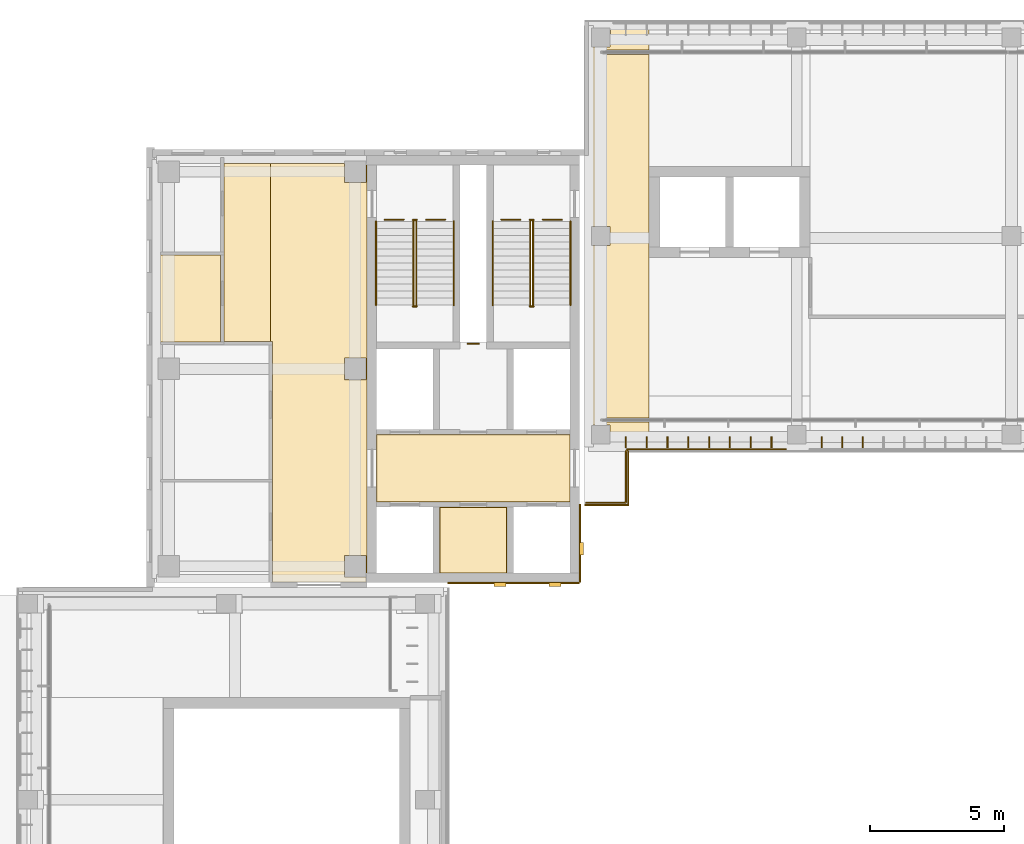
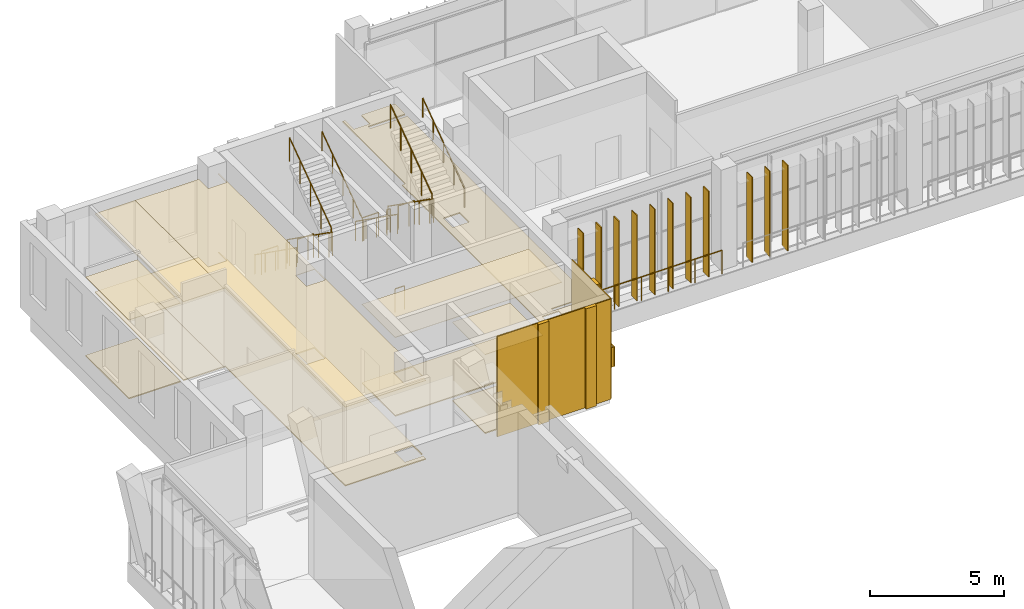
# One storey, part 61 of 73: 18 coverings, 18 railings, 11 shading devices.
"""IFC4 building model written with IfcOpenShell, lengths in metres."""

import ifcopenshell
import ifcopenshell.guid

model = None  # the IFC model being written
_history = None  # IfcOwnerHistory: only IFC2X3 demands one
_inside = {}  # id of a spatial element -> (the spatial element, [elements in it])
_under = {}  # id of a project, library or spatial element -> (it, [spatial elements below it])
_declared = {}  # id of a project -> (the project, [libraries it declares])
_typed = {}  # id of a type object -> (the type object, [elements of that type])
_made_of = {}  # id of a material, layer set ... -> (it, [elements and type objects made of it])


def new_model(schema):
    """Start an empty IFC model of exactly this schema.

    Asked for "IFC4X3", IfcOpenShell would pick the latest addendum, in which some entities
    have other attributes; the version numbers below select the first issue.
    IFC2X3 requires an IfcOwnerHistory on every rooted entity: one is made here for all.
    """
    global model, _history
    if schema == "IFC4X3":
        model = ifcopenshell.file(schema_version=(4, 3, 0, 0))
    else:
        model = ifcopenshell.file(schema=schema)
    _inside.clear()
    _under.clear()
    _declared.clear()
    _typed.clear()
    _made_of.clear()
    _history = None
    if model.schema == "IFC2X3":
        org = make("IfcOrganization", Name="unknown")
        user = make(
            "IfcPersonAndOrganization",
            ThePerson=make("IfcPerson", FamilyName="unknown"),
            TheOrganization=org,
        )
        app = make(
            "IfcApplication",
            ApplicationDeveloper=org,
            Version="unknown",
            ApplicationFullName="unknown",
            ApplicationIdentifier="unknown",
        )
        _history = make(
            "IfcOwnerHistory",
            OwningUser=user,
            OwningApplication=app,
            ChangeAction="ADDED",
            CreationDate=0,
        )
    return model


def make(cls, **values):
    """One entity of the class cls with the attributes given. An attribute that is None is left unset."""
    return model.create_entity(
        cls, **{name: value for name, value in values.items() if value is not None}
    )


def rooted(cls, **values):
    """An entity with a GlobalId (a new one), such as an element, a storey or a relation."""
    return make(cls, GlobalId=ifcopenshell.guid.new(), OwnerHistory=_history, **values)


def si_unit(unit_type, name, prefix=None):
    """IfcSIUnit, for example si_unit("LENGTHUNIT", "METRE", prefix="MILLI")."""
    return make("IfcSIUnit", UnitType=unit_type, Prefix=prefix, Name=name)


def assignment(units):
    """IfcUnitAssignment: the units of a project."""
    return None if units is None else make("IfcUnitAssignment", Units=units)


def point(xyz):
    """IfcCartesianPoint."""
    return None if xyz is None else make("IfcCartesianPoint", Coordinates=xyz)


def direction(xyz):
    """IfcDirection."""
    return None if xyz is None else make("IfcDirection", DirectionRatios=xyz)


def frame(location, z_axis=None, x_axis=None):
    """IfcAxis2Placement3D, a coordinate frame: its origin and axes. An axis left out is left unset."""
    return make(
        "IfcAxis2Placement3D",
        Location=point(location),
        Axis=direction(z_axis),
        RefDirection=direction(x_axis),
    )


def frame_2d(location, x_axis=None):
    """IfcAxis2Placement2D, a coordinate frame in the plane: its origin and x axis."""
    return make(
        "IfcAxis2Placement2D", Location=point(location), RefDirection=direction(x_axis)
    )


def origin():
    """The frame at (0, 0, 0) with its axes left unset."""
    return frame((0.0, 0.0, 0.0))


def origin_2d():
    """The frame at (0, 0) in the plane with its x axis left unset."""
    return frame_2d((0.0, 0.0))


def place(relative_to, where):
    """IfcLocalPlacement: puts the frame where relative to a parent placement (None: the world)."""
    return make(
        "IfcLocalPlacement", PlacementRelTo=relative_to, RelativePlacement=where
    )


def context(
    kind, dimensions, precision=None, world=None, true_north=None, identifier=None
):
    """IfcGeometricRepresentationContext, for example the 3D "Model" context."""
    return make(
        "IfcGeometricRepresentationContext",
        ContextIdentifier=identifier,
        ContextType=kind,
        CoordinateSpaceDimension=dimensions,
        Precision=precision,
        WorldCoordinateSystem=world,
        TrueNorth=true_north,
    )


def subcontext(parent, identifier, kind, view, scale=None):
    """IfcGeometricRepresentationSubContext, for example "Body" below "Model"."""
    return make(
        "IfcGeometricRepresentationSubContext",
        ContextIdentifier=identifier,
        ContextType=kind,
        ParentContext=parent,
        TargetScale=scale,
        TargetView=view,
    )


def project(units=None, contexts=None):
    """IfcProject with its units and contexts."""
    return rooted(
        "IfcProject",
        Name="project",
        RepresentationContexts=contexts,
        UnitsInContext=assignment(units),
    )


def spatial(cls, under=None, at=None, **own):
    """A site, building, storey or space (cls), placed at a placement, below another one or the project."""
    s = rooted(cls, ObjectPlacement=at, **own)
    if under is not None:
        _under.setdefault(under.id(), (under, []))[1].append(s)
    return s


def polyline(points):
    """IfcPolyline through the points."""
    return make("IfcPolyline", Points=[point(p) for p in points])


def profile(cls, at=None, kind="AREA", **sizes):
    """A parametric profile (cls). Its sizes go by their IFC names, for example OverallWidth=200.0."""
    return make(cls, ProfileType=kind, Position=at, **sizes)


def rectangle(**sizes):
    """IfcRectangleProfileDef."""
    return profile("IfcRectangleProfileDef", **sizes)


def circle(**sizes):
    """IfcCircleProfileDef."""
    return profile("IfcCircleProfileDef", **sizes)


def outline(outer, holes=None, kind="AREA"):
    """IfcArbitraryClosedProfileDef: a profile drawn as a closed curve; with holes, ...WithVoids."""
    if holes is None:
        return make("IfcArbitraryClosedProfileDef", ProfileType=kind, OuterCurve=outer)
    return make(
        "IfcArbitraryProfileDefWithVoids",
        ProfileType=kind,
        OuterCurve=outer,
        InnerCurves=holes,
    )


def extrude(swept, where, along, depth):
    """IfcExtrudedAreaSolid: the profile swept, set in the frame where, extruded along a direction by depth."""
    return make(
        "IfcExtrudedAreaSolid",
        SweptArea=swept,
        Position=where,
        ExtrudedDirection=direction(along),
        Depth=depth,
    )


def shape(context_of_items, identifier, shape_type, items):
    """IfcShapeRepresentation: the items that make up one representation, for example the "Body"."""
    return make(
        "IfcShapeRepresentation",
        ContextOfItems=context_of_items,
        RepresentationIdentifier=identifier,
        RepresentationType=shape_type,
        Items=items,
    )


def material(Name=None, Category=None):
    """IfcMaterial."""
    return make("IfcMaterial", Name=Name, Category=Category)


def layer(
    of_material, thickness, ventilated=None, Name=None, Category=None, Priority=None
):
    """IfcMaterialLayer: one layer of a wall or slab, of a material (None: an air gap)."""
    return make(
        "IfcMaterialLayer",
        Material=of_material,
        LayerThickness=thickness,
        IsVentilated=ventilated,
        Name=Name,
        Category=Category,
        Priority=Priority,
    )


def layer_set(layers, Name=None):
    """IfcMaterialLayerSet."""
    return make("IfcMaterialLayerSet", MaterialLayers=layers, LayerSetName=Name)


def made_of(thing, what):
    """Note that an element or type object is made of a material, layer set ...; save() writes the relation."""
    if what is not None:
        _made_of.setdefault(what.id(), (what, []))[1].append(thing)
    return thing


def type_object(cls, material=None, **own):
    """A type object (cls), such as IfcWallType, which elements share."""
    return made_of(rooted(cls, **own), material)


def element(
    cls,
    number,
    at=None,
    inside=None,
    cuts=None,
    type_object=None,
    material=None,
    context=None,
    identifier="Body",
    shape_type=None,
    held_by="IfcProductDefinitionShape",
    body=None,
    shapes=None,
    **own,
):
    """One element of the class cls, such as IfcWall. Its Tag is "e" and its number.

    at: its placement. inside: the storey or other place that contains it. cuts: it is an
    opening in that element (IfcRelVoidsElement). A single representation is given by context,
    identifier, shape_type and body (its items); several are given by shapes. held_by: the class
    of the entity that holds the representations. save() writes the other relations.
    """
    e = rooted(cls, Tag="e%d" % number, ObjectPlacement=at, **own)
    if body is not None:
        shapes = [shape(context, identifier, shape_type, body)]
    if shapes is not None:
        e.Representation = make(held_by, Representations=shapes)
    if inside is not None:
        _inside.setdefault(inside.id(), (inside, []))[1].append(e)
    if cuts is not None:
        rooted(
            "IfcRelVoidsElement", RelatingBuildingElement=cuts, RelatedOpeningElement=e
        )
    if type_object is not None:
        _typed.setdefault(type_object.id(), (type_object, []))[1].append(e)
    return made_of(e, material)


def aggregate(whole, parts):
    """IfcRelAggregates: a whole, such as a stair, and the parts it consists of."""
    return rooted("IfcRelAggregates", RelatingObject=whole, RelatedObjects=parts)


def save(model, path):
    """Write the relations noted so far, then the file.

    IfcRelAggregates (storeys below a building ...), IfcRelContainedInSpatialStructure (elements
    in a storey), IfcRelDefinesByType, IfcRelAssociatesMaterial and IfcRelDeclares: one each for
    every whole, place, type object, material and project.
    """
    for whole, parts in _under.values():
        aggregate(whole, parts)
    for where, things in _inside.values():
        rooted(
            "IfcRelContainedInSpatialStructure",
            RelatedElements=things,
            RelatingStructure=where,
        )
    for kind, things in _typed.values():
        rooted("IfcRelDefinesByType", RelatedObjects=things, RelatingType=kind)
    for what, things in _made_of.values():
        rooted("IfcRelAssociatesMaterial", RelatedObjects=things, RelatingMaterial=what)
    for by, libraries in _declared.values():
        rooted("IfcRelDeclares", RelatingContext=by, RelatedDefinitions=libraries)
    model.write(path)


model = new_model("IFC4")

# Units and contexts
model_context = context("Model", 3, precision=1e-05, world=origin(), true_north=direction((0.0, 1.0)))
body_context = subcontext(model_context, "Body", "Model", "MODEL_VIEW")
ifc_project = project(units=[si_unit("LENGTHUNIT", "METRE"), si_unit("AREAUNIT", "SQUARE_METRE"), si_unit("VOLUMEUNIT", "CUBIC_METRE"), si_unit("PLANEANGLEUNIT", "RADIAN"), si_unit("MASSUNIT", "GRAM", prefix="KILO")], contexts=[model_context])

# Site, building, storey
site_placement = place(None, origin())
site = spatial("IfcSite", under=ifc_project, at=site_placement, CompositionType="ELEMENT")
building_placement = place(site_placement, origin())
building = spatial("IfcBuilding", under=site, at=building_placement, Name="Lantern Court Media Centre", CompositionType="ELEMENT")
storey_placement = place(building_placement, frame((0.0, 0.0, 24.0)))
storey = spatial("IfcBuildingStorey", under=building, at=storey_placement, Name="L05", CompositionType="ELEMENT", Elevation=24.0)

# Coverings
ifc_material_1 = material(Name="Carpet")
ifc_layer_1 = layer(ifc_material_1, 0.050048828125)
ifc_layer_set_1 = layer_set([ifc_layer_1], Name="Carpet")
covering_type_1 = type_object("IfcCoveringType", Name="Carpet floor finish", PredefinedType="FLOORING", material=ifc_layer_set_1)
covering_1_placement = place(storey_placement, origin())
element("IfcCovering", 1, at=covering_1_placement, inside=storey, type_object=covering_type_1, Name="WC Female floor finish", PredefinedType="FLOORING", context=body_context, shape_type="SweptSolid", body=[
    extrude(outline(polyline([(8.300048828125, 108.298095703125), (10.532470703125, 108.298095703125), (10.532470703125, 105.06201171875), (8.300048828125, 105.06201171875), (8.300048828125, 108.298095703125)])), origin(), (0.0, 0.0, 1.0), 0.050048828125),
])
ifc_material_2 = material(Name="Ceramic tile")
ifc_layer_2 = layer(ifc_material_2, 0.050048828125)
ifc_layer_set_2 = layer_set([ifc_layer_2], Name="Ceramic tile")
covering_type_2 = type_object("IfcCoveringType", Name="Ceramic tile floor finish", PredefinedType="FLOORING", material=ifc_layer_set_2)
covering_2_placement = place(storey_placement, origin())
element("IfcCovering", 2, at=covering_2_placement, inside=storey, type_object=covering_type_2, Name="Accessible WC floor finish", PredefinedType="FLOORING", context=body_context, shape_type="SweptSolid", body=[
    extrude(outline(polyline([(18.705078125, 96.455078125), (18.705078125, 98.89501953125), (21.195068359375, 98.89501953125), (21.195068359375, 96.455078125), (18.705078125, 96.455078125)])), origin(), (0.0, 0.0, 1.0), 0.050048828125),
])

# Railings
ifc_material_3 = material(Name="Powder-coated steel", Category="steel")
railing_type_1 = type_object("IfcRailingType", Name="Floor edge guard 1100", PredefinedType="GUARDRAIL", material=ifc_material_3)
railing_1_placement = place(storey_placement, frame((16.64990234375, 109.609619140625, 0.0)))
element("IfcRailing", 3, at=railing_1_placement, inside=storey, type_object=railing_type_1, Name="L05 opening guard 132", PredefinedType="GUARDRAIL", context=body_context, shape_type="SweptSolid", body=[
    extrude(circle(Radius=0.02392578125, at=origin_2d()), frame((0.0, 0.0, 1.076171875), z_axis=(1.0, 0.0, 0.0), x_axis=(0.0, 1.0, 0.0)), (0.0, 0.0, 1.0), 0.703857421875),
    extrude(circle(Radius=0.02099609375, at=origin_2d()), origin(), (0.0, 0.0, 1.0), 1.052001953125),
    extrude(circle(Radius=0.02099609375, at=origin_2d()), frame((0.703857421875, 0.0, 0.0)), (0.0, 0.0, 1.0), 1.052001953125),
])
for number, where, name in (
    (4, (18.1962890625, 109.609619140625, 0.0), "L05 opening guard 133"),
    (5, (21.0, 109.609619140625, 0.0), "L05 opening guard 134"),
    (6, (22.54638671875, 109.609619140625, 0.0), "L05 opening guard 135"),
):
    element("IfcRailing", number, at=place(storey_placement, frame(where)), inside=storey, type_object=railing_type_1, Name=name, PredefinedType="GUARDRAIL", context=body_context, shape_type="SweptSolid", body=[
        extrude(circle(Radius=0.02392578125, at=origin_2d()), frame((0.0, 0.0, 1.076171875), z_axis=(1.0, 0.0, 0.0), x_axis=(0.0, 1.0, 0.0)), (0.0, 0.0, 1.0), 0.70361328125),
        extrude(circle(Radius=0.02099609375, at=origin_2d()), origin(), (0.0, 0.0, 1.0), 1.052001953125),
        extrude(circle(Radius=0.02099609375, at=origin_2d()), frame((0.70361328125, 0.0, 0.0)), (0.0, 0.0, 1.0), 1.052001953125),
    ])
railing_2_placement = place(storey_placement, frame((20.14990234375, 104.989990234375, 0.0)))
element("IfcRailing", 7, at=railing_2_placement, inside=storey, type_object=railing_type_1, Name="L05 opening guard 136", PredefinedType="GUARDRAIL", context=body_context, shape_type="SweptSolid", body=[
    extrude(circle(Radius=0.02392578125, at=origin_2d()), frame((0.0, 0.0, 1.076171875), z_axis=(-1.0, 0.0, 0.0), x_axis=(0.0, -1.0, 0.0)), (0.0, 0.0, 1.0), 0.39990234375),
    extrude(circle(Radius=0.02099609375, at=origin_2d()), origin(), (0.0, 0.0, 1.0), 1.052001953125),
    extrude(circle(Radius=0.02099609375, at=origin_2d()), frame((-0.39990234375, 0.0, 0.0)), (0.0, 0.0, 1.0), 1.052001953125),
])
railing_3_placement = place(storey_placement, frame((31.587890625, 101.06005859375, 0.0)))
element("IfcRailing", 8, at=railing_3_placement, inside=storey, type_object=railing_type_1, Name="L05 edge guard 165", PredefinedType="GUARDRAIL", context=body_context, shape_type="SweptSolid", body=[
    extrude(circle(Radius=0.02392578125, at=origin_2d()), frame((0.0, 0.0, 1.076171875), z_axis=(-1.0, 0.0, 0.0), x_axis=(0.0, -1.0, 0.0)), (0.0, 0.0, 1.0), 5.798828125),
    extrude(circle(Radius=0.02392578125, at=origin_2d()), frame((-5.798828125, 0.0, 1.076171875), z_axis=(-0.999487763113, -0.03200330276, 0.0), x_axis=(0.03200330276, -0.999487763113, 0.0)), (0.0, 0.0, 1.0), 0.09912109375),
    extrude(circle(Radius=0.02392578125, at=origin_2d()), frame((-5.89794921875, -0.003173828125, 1.076171875), z_axis=(-0.540624296858, -0.841264149745, 0.0), x_axis=(0.841264149745, -0.540624296858, 0.0)), (0.0, 0.0, 1.0), 0.092529296875),
    extrude(circle(Radius=0.02392578125, at=origin_2d()), frame((-5.947998046875, -0.0810546875, 1.076171875), z_axis=(0.0, -1.0, 0.0), x_axis=(1.0, 0.0, 0.0)), (0.0, 0.0, 1.0), 1.89892578125),
    extrude(circle(Radius=0.02392578125, at=origin_2d()), frame((-5.947998046875, -1.97998046875, 1.076171875), z_axis=(-0.96996776307, -0.243233506336, 0.0), x_axis=(0.243233506336, -0.96996776307, 0.0)), (0.0, 0.0, 1.0), 0.082275390625),
    extrude(circle(Radius=0.02392578125, at=origin_2d()), frame((-6.02783203125, -2.0, 1.076171875), z_axis=(-1.0, 0.0, 0.0), x_axis=(0.0, -1.0, 0.0)), (0.0, 0.0, 1.0), 1.400146484375),
    extrude(circle(Radius=0.02099609375, at=origin_2d()), origin(), (0.0, 0.0, 1.0), 1.052001953125),
    extrude(circle(Radius=0.02099609375, at=origin_2d()), frame((-1.15966796875, 0.0, 0.0)), (0.0, 0.0, 1.0), 1.052001953125),
    extrude(circle(Radius=0.02099609375, at=origin_2d()), frame((-2.319580078125, 0.0, 0.0)), (0.0, 0.0, 1.0), 1.052001953125),
    extrude(circle(Radius=0.02099609375, at=origin_2d()), frame((-3.479248046875, 0.0, 0.0)), (0.0, 0.0, 1.0), 1.052001953125),
    extrude(circle(Radius=0.02099609375, at=origin_2d()), frame((-4.63916015625, 0.0, 0.0)), (0.0, 0.0, 1.0), 1.052001953125),
    extrude(circle(Radius=0.02099609375, at=origin_2d()), frame((-5.798828125, 0.0, 0.0)), (0.0, 0.0, 1.0), 1.052001953125),
    extrude(circle(Radius=0.02099609375, at=origin_2d()), frame((-5.89794921875, -0.003173828125, 0.0)), (0.0, 0.0, 1.0), 1.052001953125),
    extrude(circle(Radius=0.02099609375, at=origin_2d()), frame((-5.947998046875, -0.0810546875, 0.0)), (0.0, 0.0, 1.0), 1.052001953125),
    extrude(circle(Radius=0.02099609375, at=origin_2d()), frame((-5.947998046875, -1.030517578125, 0.0)), (0.0, 0.0, 1.0), 1.052001953125),
    extrude(circle(Radius=0.02099609375, at=origin_2d()), frame((-5.947998046875, -1.97998046875, 0.0)), (0.0, 0.0, 1.0), 1.052001953125),
    extrude(circle(Radius=0.02099609375, at=origin_2d()), frame((-6.02783203125, -2.0, 0.0)), (0.0, 0.0, 1.0), 1.052001953125),
    extrude(circle(Radius=0.02099609375, at=origin_2d()), frame((-6.72802734375, -2.0, 0.0)), (0.0, 0.0, 1.0), 1.052001953125),
    extrude(circle(Radius=0.02099609375, at=origin_2d()), frame((-7.427978515625, -2.0, 0.0)), (0.0, 0.0, 1.0), 1.052001953125),
])

# Coverings
ifc_material_4 = material(Name="White glass-fibre reinforced cement cladding", Category="concrete")
ifc_layer_3 = layer(ifc_material_4, 0.050048828125)
ifc_layer_set_3 = layer_set([ifc_layer_3], Name="White glass-fibre reinforced cement cladding")
covering_type_3 = type_object("IfcCoveringType", Name="Floor-edge band 50", PredefinedType="CLADDING", material=ifc_layer_set_3)
covering_3_placement = place(storey_placement, frame((24.10009765625, 98.97509765625, -0.89990234375), z_axis=(0.0, 0.0, 1.0), x_axis=(1.0, 0.0, 0.0)))
element("IfcCovering", 9, at=covering_3_placement, inside=storey, type_object=covering_type_3, Name="Floor-edge band N inner L05", PredefinedType="CLADDING", context=body_context, shape_type="SweptSolid", body=[
    extrude(rectangle(XDim=1.599853515625, YDim=0.050048828125, at=frame_2d((0.7998046875, 0.0))), origin(), (0.0, 0.0, 1.0), 0.89990234375),
])
covering_4_placement = place(storey_placement, frame((25.72509765625, 101.0, -0.89990234375), z_axis=(0.0, 0.0, 1.0), x_axis=(0.0, -1.0, 0.0)))
element("IfcCovering", 10, at=covering_4_placement, inside=storey, type_object=covering_type_3, Name="Floor-edge band N inner L05", PredefinedType="CLADDING", context=body_context, shape_type="SweptSolid", body=[
    extrude(rectangle(XDim=2.050048828125, YDim=0.050048828125, at=frame_2d((1.02490234375, 0.0))), origin(), (0.0, 0.0, 1.0), 0.89990234375),
])
ifc_material_5 = material(Name="Honed limestone cladding", Category="masonry")
ifc_layer_4 = layer(ifc_material_5, 0.050048828125)
ifc_layer_set_4 = layer_set([ifc_layer_4], Name="Honed limestone cladding")
covering_type_4 = type_object("IfcCoveringType", Name="Limestone cladding panel 50", PredefinedType="CLADDING", material=ifc_layer_set_4)
covering_5_placement = place(storey_placement, frame((23.925048828125, 96.10009765625, 0.0), z_axis=(0.0, 0.0, 1.0), x_axis=(0.0, 1.0, 0.0)))
element("IfcCovering", 11, at=covering_5_placement, inside=storey, type_object=covering_type_4, Name="Limestone joint cladding N-NW L05", PredefinedType="CLADDING", context=body_context, shape_type="SweptSolid", body=[
    extrude(rectangle(XDim=2.89990234375, YDim=0.050048828125, at=frame_2d((1.449951171875, 0.0))), origin(), (0.0, 0.0, 1.0), 4.580078125),
])
covering_6_placement = place(storey_placement, frame((19.0, 96.074951171875, 0.0), z_axis=(0.0, 0.0, 1.0), x_axis=(1.0, 0.0, 0.0)))
element("IfcCovering", 12, at=covering_6_placement, inside=storey, type_object=covering_type_4, Name="Limestone joint cladding W-NW L05", PredefinedType="CLADDING", context=body_context, shape_type="SweptSolid", body=[
    extrude(rectangle(XDim=4.89990234375, YDim=0.050048828125, at=frame_2d((2.449951171875, 0.0))), origin(), (0.0, 0.0, 1.0), 4.580078125),
])
ifc_layer_5 = layer(ifc_material_5, 0.14990234375)
ifc_layer_set_5 = layer_set([ifc_layer_5], Name="Honed limestone cladding")
covering_type_5 = type_object("IfcCoveringType", Name="Limestone pilaster cladding 150", PredefinedType="CLADDING", material=ifc_layer_set_5)
covering_7_placement = place(storey_placement, frame((20.72509765625, 96.02490234375, 0.0), z_axis=(0.0, 0.0, 1.0), x_axis=(1.0, 0.0, 0.0)))
element("IfcCovering", 13, at=covering_7_placement, inside=storey, type_object=covering_type_5, Name="Limestone pilaster rib", PredefinedType="CLADDING", context=body_context, shape_type="SweptSolid", body=[
    extrude(rectangle(XDim=0.449951171875, YDim=0.14990234375, at=frame_2d((0.22509765625, 0.0))), origin(), (0.0, 0.0, 1.0), 4.580078125),
])
covering_8_placement = place(storey_placement, frame((22.77490234375, 96.02490234375, 0.0), z_axis=(0.0, 0.0, 1.0), x_axis=(1.0, 0.0, 0.0)))
element("IfcCovering", 14, at=covering_8_placement, inside=storey, type_object=covering_type_5, Name="Limestone pilaster rib", PredefinedType="CLADDING", context=body_context, shape_type="SweptSolid", body=[
    extrude(rectangle(XDim=0.4501953125, YDim=0.14990234375, at=frame_2d((0.22509765625, 0.0))), origin(), (0.0, 0.0, 1.0), 4.580078125),
])
covering_9_placement = place(storey_placement, frame((23.97509765625, 97.125, 0.0), z_axis=(0.0, 0.0, 1.0), x_axis=(0.0, 1.0, 0.0)))
element("IfcCovering", 15, at=covering_9_placement, inside=storey, type_object=covering_type_5, Name="Limestone pilaster rib", PredefinedType="CLADDING", context=body_context, shape_type="SweptSolid", body=[
    extrude(rectangle(XDim=0.449951171875, YDim=0.14990234375, at=frame_2d((0.22509765625, 0.0))), origin(), (0.0, 0.0, 1.0), 4.580078125),
])

# Railings
railing_type_2 = type_object("IfcRailingType", Name="Stair guard 1100", PredefinedType="GUARDRAIL", material=ifc_material_3)
railing_4_placement = place(storey_placement, frame((17.72412109375, 109.550048828125, 0.1845703125)))
element("IfcRailing", 16, at=railing_4_placement, inside=storey, type_object=railing_type_2, Name="L05 ST-NWA stair guard 1", PredefinedType="GUARDRAIL", context=body_context, shape_type="SweptSolid", body=[
    extrude(circle(Radius=0.02392578125, at=origin_2d()), frame((0.0, 0.0, 1.076171875), z_axis=(0.0, -0.815376961211, 0.578930402662), x_axis=(1.0, 0.0, 0.0)), (0.0, 0.0, 1.0), 3.82666015625),
    extrude(circle(Radius=0.02099609375, at=origin_2d()), origin(), (0.0, 0.0, 1.0), 1.052001953125),
    extrude(circle(Radius=0.02099609375, at=origin_2d()), frame((0.0, -0.780029296875, 0.5537109375)), (0.0, 0.0, 1.0), 1.052001953125),
    extrude(circle(Radius=0.02099609375, at=origin_2d()), frame((0.0, -1.56005859375, 1.107666015625)), (0.0, 0.0, 1.0), 1.052001953125),
    extrude(circle(Radius=0.02099609375, at=origin_2d()), frame((0.0, -2.340087890625, 1.66162109375)), (0.0, 0.0, 1.0), 1.052001953125),
    extrude(circle(Radius=0.02099609375, at=origin_2d()), frame((0.0, -3.1201171875, 2.21533203125)), (0.0, 0.0, 1.0), 1.052001953125),
])
railing_5_placement = place(storey_placement, frame((17.699951171875, 106.3798828125, 2.39990234375)))
element("IfcRailing", 17, at=railing_5_placement, inside=storey, type_object=railing_type_2, Name="L05 ST-NWA stair guard 2", PredefinedType="GUARDRAIL", context=body_context, shape_type="SweptSolid", body=[
    extrude(circle(Radius=0.02392578125, at=origin_2d()), frame((0.0, 0.0, 1.076171875), z_axis=(1.0, 0.0, 0.0), x_axis=(0.0, 1.0, 0.0)), (0.0, 0.0, 1.0), 0.150146484375),
    extrude(circle(Radius=0.02099609375, at=origin_2d()), origin(), (0.0, 0.0, 1.0), 1.052001953125),
    extrude(circle(Radius=0.02099609375, at=origin_2d()), frame((0.150146484375, 0.0, 0.0)), (0.0, 0.0, 1.0), 1.052001953125),
])
railing_6_placement = place(storey_placement, frame((17.825927734375, 106.429931640625, 2.584716796875)))
element("IfcRailing", 18, at=railing_6_placement, inside=storey, type_object=railing_type_2, Name="L05 ST-NWA stair guard 3", PredefinedType="GUARDRAIL", context=body_context, shape_type="SweptSolid", body=[
    extrude(circle(Radius=0.02392578125, at=origin_2d()), frame((0.0, 0.0, 1.076171875), z_axis=(0.0, 0.815376961211, 0.578930402662), x_axis=(-1.0, 0.0, 0.0)), (0.0, 0.0, 1.0), 3.82666015625),
    extrude(circle(Radius=0.02099609375, at=origin_2d()), origin(), (0.0, 0.0, 1.0), 1.052001953125),
    extrude(circle(Radius=0.02099609375, at=origin_2d()), frame((0.0, 0.780029296875, 0.5537109375)), (0.0, 0.0, 1.0), 1.052001953125),
    extrude(circle(Radius=0.02099609375, at=origin_2d()), frame((0.0, 1.56005859375, 1.107666015625)), (0.0, 0.0, 1.0), 1.052001953125),
    extrude(circle(Radius=0.02099609375, at=origin_2d()), frame((0.0, 2.340087890625, 1.66162109375)), (0.0, 0.0, 1.0), 1.052001953125),
    extrude(circle(Radius=0.02099609375, at=origin_2d()), frame((0.0, 3.1201171875, 2.21533203125)), (0.0, 0.0, 1.0), 1.052001953125),
])
railing_7_placement = place(storey_placement, frame((17.699951171875, 109.60009765625, 0.0)))
element("IfcRailing", 19, at=railing_7_placement, inside=storey, type_object=railing_type_2, Name="L05 ST-NWA stair guard 4", PredefinedType="GUARDRAIL", context=body_context, shape_type="SweptSolid", body=[
    extrude(circle(Radius=0.02392578125, at=origin_2d()), frame((0.0, 0.0, 1.076171875), z_axis=(1.0, 0.0, 0.0), x_axis=(0.0, 1.0, 0.0)), (0.0, 0.0, 1.0), 0.150146484375),
    extrude(circle(Radius=0.02099609375, at=origin_2d()), origin(), (0.0, 0.0, 1.0), 1.052001953125),
    extrude(circle(Radius=0.02099609375, at=origin_2d()), frame((0.150146484375, 0.0, 0.0)), (0.0, 0.0, 1.0), 1.052001953125),
])
railing_8_placement = place(storey_placement, frame((22.073974609375, 109.550048828125, 0.1845703125)))
element("IfcRailing", 20, at=railing_8_placement, inside=storey, type_object=railing_type_2, Name="L05 ST-NWB stair guard 1", PredefinedType="GUARDRAIL", context=body_context, shape_type="SweptSolid", body=[
    extrude(circle(Radius=0.02392578125, at=origin_2d()), frame((0.0, 0.0, 1.076171875), z_axis=(0.0, -0.815376961211, 0.578930402662), x_axis=(1.0, 0.0, 0.0)), (0.0, 0.0, 1.0), 3.82666015625),
    extrude(circle(Radius=0.02099609375, at=origin_2d()), origin(), (0.0, 0.0, 1.0), 1.052001953125),
    extrude(circle(Radius=0.02099609375, at=origin_2d()), frame((0.0, -0.780029296875, 0.5537109375)), (0.0, 0.0, 1.0), 1.052001953125),
    extrude(circle(Radius=0.02099609375, at=origin_2d()), frame((0.0, -1.56005859375, 1.107666015625)), (0.0, 0.0, 1.0), 1.052001953125),
    extrude(circle(Radius=0.02099609375, at=origin_2d()), frame((0.0, -2.340087890625, 1.66162109375)), (0.0, 0.0, 1.0), 1.052001953125),
    extrude(circle(Radius=0.02099609375, at=origin_2d()), frame((0.0, -3.1201171875, 2.21533203125)), (0.0, 0.0, 1.0), 1.052001953125),
])
railing_9_placement = place(storey_placement, frame((22.050048828125, 106.3798828125, 2.39990234375)))
element("IfcRailing", 21, at=railing_9_placement, inside=storey, type_object=railing_type_2, Name="L05 ST-NWB stair guard 2", PredefinedType="GUARDRAIL", context=body_context, shape_type="SweptSolid", body=[
    extrude(circle(Radius=0.02392578125, at=origin_2d()), frame((0.0, 0.0, 1.076171875), z_axis=(1.0, 0.0, 0.0), x_axis=(0.0, 1.0, 0.0)), (0.0, 0.0, 1.0), 0.14990234375),
    extrude(circle(Radius=0.02099609375, at=origin_2d()), origin(), (0.0, 0.0, 1.0), 1.052001953125),
    extrude(circle(Radius=0.02099609375, at=origin_2d()), frame((0.14990234375, 0.0, 0.0)), (0.0, 0.0, 1.0), 1.052001953125),
])
railing_10_placement = place(storey_placement, frame((22.176025390625, 106.429931640625, 2.584716796875)))
element("IfcRailing", 22, at=railing_10_placement, inside=storey, type_object=railing_type_2, Name="L05 ST-NWB stair guard 3", PredefinedType="GUARDRAIL", context=body_context, shape_type="SweptSolid", body=[
    extrude(circle(Radius=0.02392578125, at=origin_2d()), frame((0.0, 0.0, 1.076171875), z_axis=(0.0, 0.815376961211, 0.578930402662), x_axis=(-1.0, 0.0, 0.0)), (0.0, 0.0, 1.0), 3.82666015625),
    extrude(circle(Radius=0.02099609375, at=origin_2d()), origin(), (0.0, 0.0, 1.0), 1.052001953125),
    extrude(circle(Radius=0.02099609375, at=origin_2d()), frame((0.0, 0.780029296875, 0.5537109375)), (0.0, 0.0, 1.0), 1.052001953125),
    extrude(circle(Radius=0.02099609375, at=origin_2d()), frame((0.0, 1.56005859375, 1.107666015625)), (0.0, 0.0, 1.0), 1.052001953125),
    extrude(circle(Radius=0.02099609375, at=origin_2d()), frame((0.0, 2.340087890625, 1.66162109375)), (0.0, 0.0, 1.0), 1.052001953125),
    extrude(circle(Radius=0.02099609375, at=origin_2d()), frame((0.0, 3.1201171875, 2.21533203125)), (0.0, 0.0, 1.0), 1.052001953125),
])
railing_11_placement = place(storey_placement, frame((22.050048828125, 109.60009765625, 0.0)))
element("IfcRailing", 23, at=railing_11_placement, inside=storey, type_object=railing_type_2, Name="L05 ST-NWB stair guard 4", PredefinedType="GUARDRAIL", context=body_context, shape_type="SweptSolid", body=[
    extrude(circle(Radius=0.02392578125, at=origin_2d()), frame((0.0, 0.0, 1.076171875), z_axis=(1.0, 0.0, 0.0), x_axis=(0.0, 1.0, 0.0)), (0.0, 0.0, 1.0), 0.14990234375),
    extrude(circle(Radius=0.02099609375, at=origin_2d()), origin(), (0.0, 0.0, 1.0), 1.052001953125),
    extrude(circle(Radius=0.02099609375, at=origin_2d()), frame((0.14990234375, 0.0, 0.0)), (0.0, 0.0, 1.0), 1.052001953125),
])
railing_type_3 = type_object("IfcRailingType", Name="Stair handrail 900", PredefinedType="HANDRAIL", material=ifc_material_3)
railing_12_placement = place(storey_placement, frame((16.325927734375, 109.550048828125, 0.1845703125)))
element("IfcRailing", 24, at=railing_12_placement, inside=storey, type_object=railing_type_3, Name="L05 ST-NWA stair handrail 1", PredefinedType="HANDRAIL", context=body_context, shape_type="SweptSolid", body=[
    extrude(circle(Radius=0.02392578125, at=origin_2d()), frame((0.0, 0.0, 0.8759765625), z_axis=(0.0, -0.815376961211, 0.578930402662), x_axis=(1.0, 0.0, 0.0)), (0.0, 0.0, 1.0), 3.82666015625),
    extrude(circle(Radius=0.02099609375, at=origin_2d()), origin(), (0.0, 0.0, 1.0), 0.851806640625),
    extrude(circle(Radius=0.02099609375, at=origin_2d()), frame((0.0, -0.780029296875, 0.5537109375)), (0.0, 0.0, 1.0), 0.851806640625),
    extrude(circle(Radius=0.02099609375, at=origin_2d()), frame((0.0, -1.56005859375, 1.107666015625)), (0.0, 0.0, 1.0), 0.851806640625),
    extrude(circle(Radius=0.02099609375, at=origin_2d()), frame((0.0, -2.340087890625, 1.66162109375)), (0.0, 0.0, 1.0), 0.851806640625),
    extrude(circle(Radius=0.02099609375, at=origin_2d()), frame((0.0, -3.1201171875, 2.21533203125)), (0.0, 0.0, 1.0), 0.851806640625),
])
railing_13_placement = place(storey_placement, frame((19.22412109375, 106.429931640625, 2.584716796875)))
element("IfcRailing", 25, at=railing_13_placement, inside=storey, type_object=railing_type_3, Name="L05 ST-NWA stair handrail 2", PredefinedType="HANDRAIL", context=body_context, shape_type="SweptSolid", body=[
    extrude(circle(Radius=0.02392578125, at=origin_2d()), frame((0.0, 0.0, 0.8759765625), z_axis=(0.0, 0.815376961211, 0.578930402662), x_axis=(-1.0, 0.0, 0.0)), (0.0, 0.0, 1.0), 3.82666015625),
    extrude(circle(Radius=0.02099609375, at=origin_2d()), origin(), (0.0, 0.0, 1.0), 0.851806640625),
    extrude(circle(Radius=0.02099609375, at=origin_2d()), frame((0.0, 0.780029296875, 0.5537109375)), (0.0, 0.0, 1.0), 0.851806640625),
    extrude(circle(Radius=0.02099609375, at=origin_2d()), frame((0.0, 1.56005859375, 1.107666015625)), (0.0, 0.0, 1.0), 0.851806640625),
    extrude(circle(Radius=0.02099609375, at=origin_2d()), frame((0.0, 2.340087890625, 1.66162109375)), (0.0, 0.0, 1.0), 0.851806640625),
    extrude(circle(Radius=0.02099609375, at=origin_2d()), frame((0.0, 3.1201171875, 2.21533203125)), (0.0, 0.0, 1.0), 0.851806640625),
])
railing_14_placement = place(storey_placement, frame((20.676025390625, 109.550048828125, 0.1845703125)))
element("IfcRailing", 26, at=railing_14_placement, inside=storey, type_object=railing_type_3, Name="L05 ST-NWB stair handrail 1", PredefinedType="HANDRAIL", context=body_context, shape_type="SweptSolid", body=[
    extrude(circle(Radius=0.02392578125, at=origin_2d()), frame((0.0, 0.0, 0.8759765625), z_axis=(0.0, -0.815376961211, 0.578930402662), x_axis=(1.0, 0.0, 0.0)), (0.0, 0.0, 1.0), 3.82666015625),
    extrude(circle(Radius=0.02099609375, at=origin_2d()), origin(), (0.0, 0.0, 1.0), 0.851806640625),
    extrude(circle(Radius=0.02099609375, at=origin_2d()), frame((0.0, -0.780029296875, 0.5537109375)), (0.0, 0.0, 1.0), 0.851806640625),
    extrude(circle(Radius=0.02099609375, at=origin_2d()), frame((0.0, -1.56005859375, 1.107666015625)), (0.0, 0.0, 1.0), 0.851806640625),
    extrude(circle(Radius=0.02099609375, at=origin_2d()), frame((0.0, -2.340087890625, 1.66162109375)), (0.0, 0.0, 1.0), 0.851806640625),
    extrude(circle(Radius=0.02099609375, at=origin_2d()), frame((0.0, -3.1201171875, 2.21533203125)), (0.0, 0.0, 1.0), 0.851806640625),
])
railing_15_placement = place(storey_placement, frame((23.573974609375, 106.429931640625, 2.584716796875)))
element("IfcRailing", 27, at=railing_15_placement, inside=storey, type_object=railing_type_3, Name="L05 ST-NWB stair handrail 2", PredefinedType="HANDRAIL", context=body_context, shape_type="SweptSolid", body=[
    extrude(circle(Radius=0.02392578125, at=origin_2d()), frame((0.0, 0.0, 0.8759765625), z_axis=(0.0, 0.815376961211, 0.578930402662), x_axis=(-1.0, 0.0, 0.0)), (0.0, 0.0, 1.0), 3.82666015625),
    extrude(circle(Radius=0.02099609375, at=origin_2d()), origin(), (0.0, 0.0, 1.0), 0.851806640625),
    extrude(circle(Radius=0.02099609375, at=origin_2d()), frame((0.0, 0.780029296875, 0.5537109375)), (0.0, 0.0, 1.0), 0.851806640625),
    extrude(circle(Radius=0.02099609375, at=origin_2d()), frame((0.0, 1.56005859375, 1.107666015625)), (0.0, 0.0, 1.0), 0.851806640625),
    extrude(circle(Radius=0.02099609375, at=origin_2d()), frame((0.0, 2.340087890625, 1.66162109375)), (0.0, 0.0, 1.0), 0.851806640625),
    extrude(circle(Radius=0.02099609375, at=origin_2d()), frame((0.0, 3.1201171875, 2.21533203125)), (0.0, 0.0, 1.0), 0.851806640625),
])

# Coverings
ifc_material_6 = material(Name="Mineral fibre ceiling tile")
ifc_layer_6 = layer(ifc_material_6, 0.02001953125)
ifc_layer_set_6 = layer_set([ifc_layer_6], Name="Mineral fibre ceiling tile")
covering_type_6 = type_object("IfcCoveringType", Name="Suspended ceiling tile", PredefinedType="CEILING", material=ifc_layer_set_6)
covering_10_placement = place(storey_placement, frame((0.0, 0.0, 3.60009765625)))
element("IfcCovering", 28, at=covering_10_placement, inside=storey, type_object=covering_type_6, Name="Lift Lobby ceiling", PredefinedType="CEILING", context=body_context, shape_type="SweptSolid", body=[
    extrude(outline(polyline([(23.549560546875, 99.1005859375), (16.3505859375, 99.1005859375), (16.3505859375, 101.599609375), (23.549560546875, 101.599609375), (23.549560546875, 99.1005859375)])), origin(), (0.0, 0.0, 1.0), 0.02001953125),
])
covering_11_placement = place(storey_placement, frame((0.0, 0.0, 3.60009765625)))
element("IfcCovering", 29, at=covering_11_placement, inside=storey, type_object=covering_type_6, Name="Accessible WC ceiling", PredefinedType="CEILING", context=body_context, shape_type="SweptSolid", body=[
    extrude(outline(polyline([(18.700439453125, 96.450439453125), (18.700439453125, 98.8994140625), (21.199462890625, 98.8994140625), (21.199462890625, 96.450439453125), (18.700439453125, 96.450439453125)])), origin(), (0.0, 0.0, 1.0), 0.02001953125),
])
covering_12_placement = place(storey_placement, frame((0.0, 0.0, 3.60009765625)))
element("IfcCovering", 30, at=covering_12_placement, inside=storey, type_object=covering_type_6, Name="Corridor ceiling", PredefinedType="CEILING", context=body_context, shape_type="SweptSolid", body=[
    extrude(outline(polyline([(12.39990234375, 111.699951171875), (15.1494140625, 111.699951171875), (15.14990234375, 110.99951171875), (15.950439453125, 110.99951171875), (15.950439453125, 111.6494140625), (15.99951171875, 111.6494140625), (15.99951171875, 96.450439453125), (15.950439453125, 96.450439453125), (15.950439453125, 97.100341796875), (15.1494140625, 97.10009765625), (15.149658203125, 96.299560546875), (15.949462890625, 96.299560546875), (15.949462890625, 96.1005859375), (12.462890625, 96.1005859375), (12.462890625, 105.069580078125), (12.39990234375, 105.070068359375), (12.39990234375, 111.699951171875)]), holes=[polyline([(15.950439453125, 104.449951171875), (15.149658203125, 104.450439453125), (15.149658203125, 103.649658203125), (15.950439453125, 103.649658203125), (15.950439453125, 104.449951171875)])]), origin(), (0.0, 0.0, 1.0), 0.02001953125),
])
covering_13_placement = place(storey_placement, frame((0.0, 0.0, 3.60009765625)))
element("IfcCovering", 31, at=covering_13_placement, inside=storey, type_object=covering_type_6, Name="WC Lobby ceiling", PredefinedType="CEILING", context=body_context, shape_type="SweptSolid", body=[
    extrude(outline(polyline([(12.39990234375, 111.699951171875), (12.39990234375, 105.070068359375), (10.6630859375, 105.070068359375), (10.6630859375, 111.699951171875), (12.39990234375, 111.699951171875)])), origin(), (0.0, 0.0, 1.0), 0.02001953125),
])
covering_14_placement = place(storey_placement, frame((0.0, 0.0, 3.60009765625)))
element("IfcCovering", 32, at=covering_14_placement, inside=storey, type_object=covering_type_6, Name="WC Female ceiling", PredefinedType="CEILING", context=body_context, shape_type="SweptSolid", body=[
    extrude(outline(polyline([(8.300048828125, 108.302490234375), (10.537109375, 108.302490234375), (10.537109375, 105.0576171875), (8.300048828125, 105.0576171875), (8.300048828125, 108.302490234375)])), origin(), (0.0, 0.0, 1.0), 0.02001953125),
])
ifc_material_7 = material(Name="Terrazzo")
ifc_layer_7 = layer(ifc_material_7, 0.050048828125)
ifc_layer_set_7 = layer_set([ifc_layer_7], Name="Terrazzo")
covering_type_7 = type_object("IfcCoveringType", Name="Terrazzo floor finish", PredefinedType="FLOORING", material=ifc_layer_set_7)
covering_15_placement = place(storey_placement, origin())
element("IfcCovering", 33, at=covering_15_placement, inside=storey, type_object=covering_type_7, Name="End Lobby floor finish", PredefinedType="FLOORING", context=body_context, shape_type="SweptSolid", body=[
    extrude(outline(polyline([(26.5, 101.300048828125), (25.054931640625, 101.300048828125), (25.050048828125, 101.955078125), (24.34716796875, 101.9541015625), (24.344970703125, 101.300048828125), (24.10009765625, 101.300048828125), (24.10009765625, 111.9951171875), (24.2451171875, 112.0), (24.2451171875, 116.699951171875), (24.344970703125, 116.699951171875), (24.35009765625, 116.044921875), (25.053466796875, 116.04638671875), (25.054931640625, 116.699951171875), (26.5, 116.699951171875), (26.5, 115.929931640625), (24.89501953125, 115.925048828125), (24.8994140625, 115.77001953125), (26.5, 115.77001953125), (26.5, 102.22998046875), (24.89501953125, 102.22509765625), (24.8994140625, 102.070068359375), (26.5, 102.070068359375), (26.5, 101.300048828125)]), holes=[polyline([(25.050048828125, 108.64501953125), (25.053466796875, 109.353515625), (24.346435546875, 109.353515625), (24.346435546875, 108.646484375), (25.050048828125, 108.64501953125)])]), origin(), (0.0, 0.0, 1.0), 0.050048828125),
])
covering_16_placement = place(storey_placement, origin())
element("IfcCovering", 34, at=covering_16_placement, inside=storey, type_object=covering_type_7, Name="Lift Lobby floor finish", PredefinedType="FLOORING", context=body_context, shape_type="SweptSolid", body=[
    extrude(outline(polyline([(23.544921875, 99.10498046875), (16.35498046875, 99.10498046875), (16.35498046875, 101.594970703125), (23.544921875, 101.594970703125), (23.544921875, 99.10498046875)])), origin(), (0.0, 0.0, 1.0), 0.050048828125),
])
covering_17_placement = place(storey_placement, origin())
element("IfcCovering", 35, at=covering_17_placement, inside=storey, type_object=covering_type_7, Name="Corridor floor finish", PredefinedType="FLOORING", context=body_context, shape_type="SweptSolid", body=[
    extrude(outline(polyline([(12.39990234375, 111.699951171875), (15.14501953125, 111.699951171875), (15.14990234375, 110.9951171875), (15.953125, 110.99609375), (15.955078125, 111.64501953125), (15.9951171875, 111.64501953125), (15.9951171875, 96.455078125), (15.955078125, 96.455078125), (15.953125, 97.103759765625), (15.14501953125, 97.10009765625), (15.146240234375, 96.296875), (15.945068359375, 96.294921875), (15.945068359375, 96.10498046875), (12.467529296875, 96.10498046875), (12.467529296875, 105.069580078125), (12.39990234375, 105.074462890625), (12.39990234375, 111.699951171875)]), holes=[polyline([(15.949951171875, 103.64501953125), (15.95361328125, 104.45361328125), (15.146484375, 104.45361328125), (15.146484375, 103.646484375), (15.949951171875, 103.64501953125)])]), origin(), (0.0, 0.0, 1.0), 0.050048828125),
])
covering_18_placement = place(storey_placement, origin())
element("IfcCovering", 36, at=covering_18_placement, inside=storey, type_object=covering_type_7, Name="WC Lobby floor finish", PredefinedType="FLOORING", context=body_context, shape_type="SweptSolid", body=[
    extrude(outline(polyline([(12.39990234375, 111.699951171875), (12.39990234375, 105.074462890625), (10.66748046875, 105.074462890625), (10.66748046875, 111.699951171875), (12.39990234375, 111.699951171875)])), origin(), (0.0, 0.0, 1.0), 0.050048828125),
])

# Shading devices
ifc_material_8 = material(Name="Bronze anodised aluminium louvre", Category="aluminium")
ifc_layer_8 = layer(ifc_material_8, 0.0400390625)
ifc_layer_set_8 = layer_set([ifc_layer_8], Name="Bronze anodised aluminium louvre")
shading_device_type = type_object("IfcShadingDeviceType", Name="Vertical louvre 40x400 under beam", PredefinedType="USERDEFINED", material=ifc_layer_set_8)
for number, where, z_axis, x_axis, name in (
    (37, (25.637451171875, 101.320068359375, 0.0), (0.0, 0.0, 1.0), (1.0, 0.0, 0.0), "Vertical louvre N inner L05"),
    (38, (26.41259765625, 101.320068359375, 0.0), (0.0, 0.0, 1.0), (1.0, 0.0, 0.0), "Vertical louvre N inner L05"),
    (39, (27.1875, 101.320068359375, 0.0), (0.0, 0.0, 1.0), (1.0, 0.0, 0.0), "Vertical louvre N inner L05"),
    (40, (27.96240234375, 101.320068359375, 0.0), (0.0, 0.0, 1.0), (1.0, 0.0, 0.0), "Vertical louvre N inner L05"),
    (41, (28.737548828125, 101.320068359375, 0.0), (0.0, 0.0, 1.0), (1.0, 0.0, 0.0), "Vertical louvre N inner L05"),
    (42, (29.512451171875, 101.320068359375, 0.0), (0.0, 0.0, 1.0), (1.0, 0.0, 0.0), "Vertical louvre N inner L05"),
    (43, (30.28759765625, 101.320068359375, 0.0), (0.0, 0.0, 1.0), (1.0, 0.0, 0.0), "Vertical louvre N inner L05"),
    (44, (31.0625, 101.320068359375, 0.0), (0.0, 0.0, 1.0), (1.0, 0.0, 0.0), "Vertical louvre N inner L05"),
    (45, (32.933349609375, 101.320068359375, 0.0), (0.0, 0.0, 1.0), (1.0, 0.0, 0.0), "Vertical louvre N inner L05"),
    (46, (33.699951171875, 101.320068359375, 0.0), (0.0, 0.0, 1.0), (1.0, 0.0, 0.0), "Vertical louvre N inner L05"),
    (47, (34.466552734375, 101.320068359375, 0.0), (0.0, 0.0, 1.0), (1.0, 0.0, 0.0), "Vertical louvre N inner L05"),
):
    element("IfcShadingDevice", number, at=place(storey_placement, frame(where, z_axis=z_axis, x_axis=x_axis)), inside=storey, type_object=shading_device_type, Name=name, ObjectType="VERTICAL LOUVRE", PredefinedType="USERDEFINED", context=body_context, shape_type="SweptSolid", body=[
        extrude(rectangle(XDim=0.0400390625, YDim=0.39990234375, at=origin_2d()), origin(), (0.0, 0.0, 1.0), 3.89990234375),
    ])

save(model, "model.ifc")
